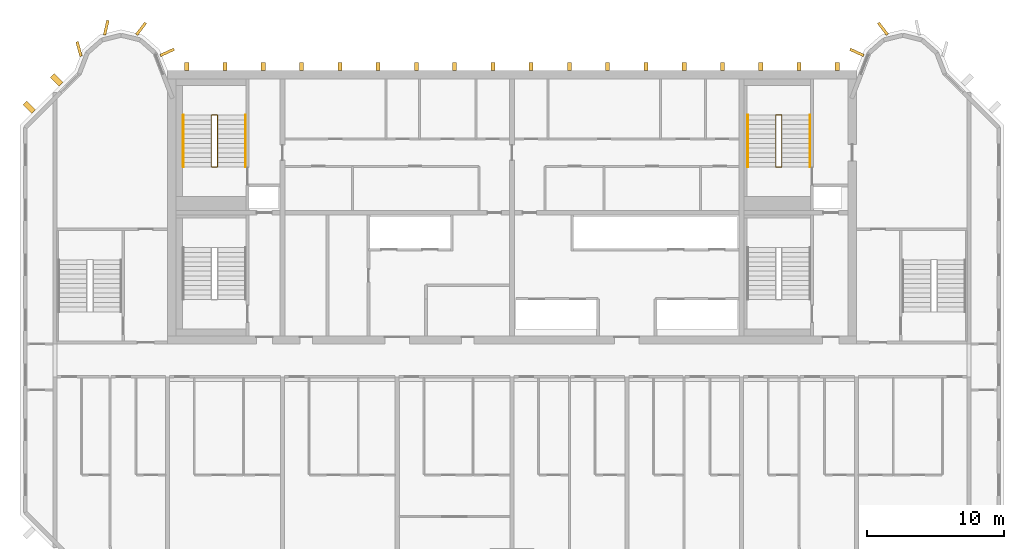
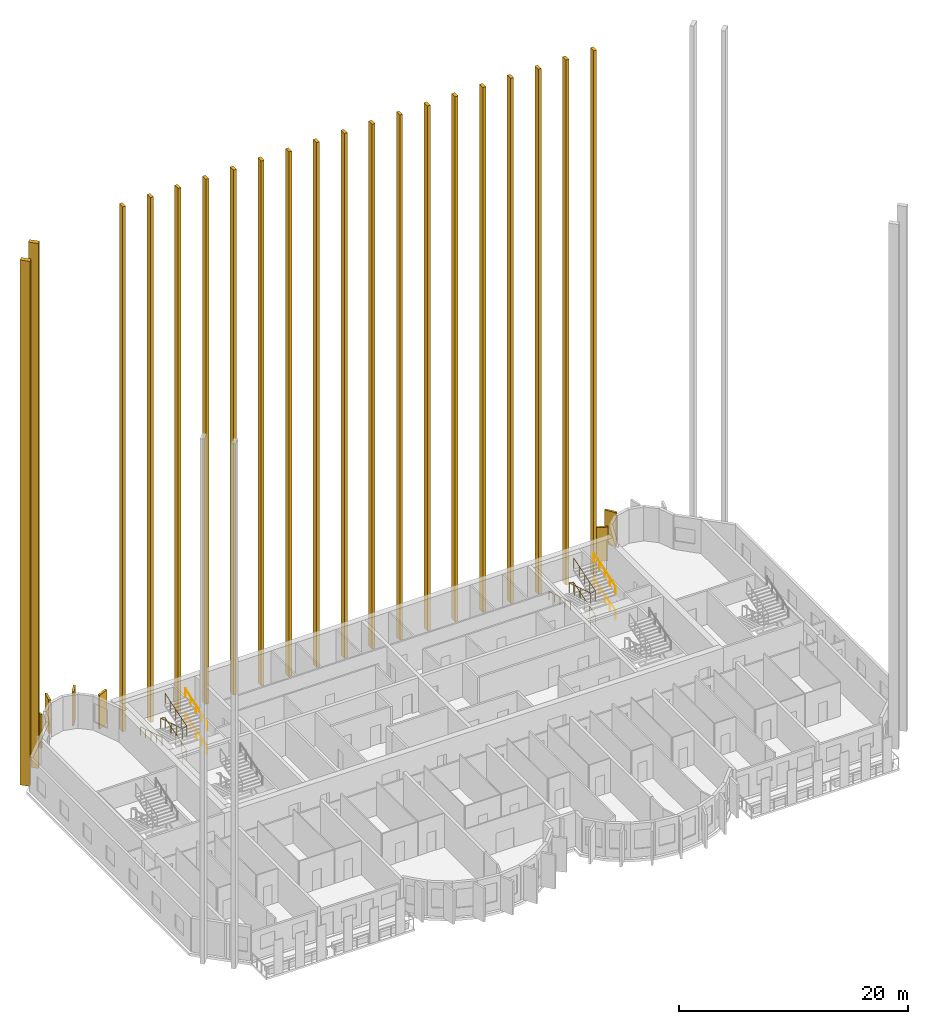
# One storey, part 11 of 13: 26 coverings, 8 railings.
"""IFC4 building model written with IfcOpenShell, lengths in metres."""

from ifc_helpers import new_model, si_unit, direction, frame, origin, origin_2d, place, context, subcontext, project, spatial, rectangle, circle, extrude, source, transform, mapped, material, material_profile, profile_set, type_object, element, save


model = new_model("IFC4")

# Units and contexts
model_context = context("Model", 3, precision=1e-05, world=origin(), true_north=direction((0.0, 1.0)))
body_context = subcontext(model_context, "Body", "Model", "MODEL_VIEW")
ifc_project = project(units=[si_unit("LENGTHUNIT", "METRE"), si_unit("AREAUNIT", "SQUARE_METRE"), si_unit("VOLUMEUNIT", "CUBIC_METRE"), si_unit("PLANEANGLEUNIT", "RADIAN"), si_unit("MASSUNIT", "GRAM", prefix="KILO")], contexts=[model_context])

# Site, building, storey
site_placement = place(None, origin())
site = spatial("IfcSite", under=ifc_project, at=site_placement, CompositionType="ELEMENT")
building_placement = place(site_placement, origin())
building = spatial("IfcBuilding", under=site, at=building_placement, Name="Vanashikhar Sky Hotel", CompositionType="ELEMENT")
storey_placement = place(building_placement, frame((0.0, 0.0, 214.0)))
storey = spatial("IfcBuildingStorey", under=building, at=storey_placement, Name="L51", CompositionType="ELEMENT", Elevation=214.0)

# Coverings
ifc_material_1 = material(Name="Concrete M60 dark", Category="concrete")
ifc_material_profile_1 = material_profile(ifc_material_1, rectangle(XDim=1.10009765625, YDim=0.199951171875, at=origin_2d()))
ifc_profile_set_1 = profile_set([ifc_material_profile_1], Name="Rear lobe fin 1100 x 200")
covering_type_1 = type_object("IfcCoveringType", Name="Rear lobe fin 1100 x 200", PredefinedType="CLADDING", material=ifc_profile_set_1)
shared_shape_1 = source(origin(), body_context, "Body", "SweptSolid", [
    extrude(rectangle(XDim=1.10009765625, YDim=0.199951171875, at=origin_2d()), origin(), (0.0, 0.0, 1.0), 3.6201171875),
])
for number, where, z_axis, x_axis, name in (
    (1, (18.720703125, 43.580078125, 0.0), (0.0, 0.0, 1.0), (-0.262711264409, 0.964874495234, 0.0), "Fin R1-1"),
    (2, (20.710205078125, 45.1455078125, 0.0), (0.0, 0.0, 1.0), (0.224644935864, 0.974440687159, 0.0), "Fin R1-2"),
    (3, (23.261962890625, 45.06640625, 0.0), (0.0, 0.0, 1.0), (0.602065892195, 0.798446404874, 0.0), "Fin R1-3"),
    (4, (25.169677734375, 43.33447265625, 0.0), (0.0, 0.0, 1.0), (0.908004291068, 0.418960866193, 0.0), "Fin R1-4"),
    (5, (75.63037109375, 43.33447265625, 0.0), (0.0, 0.0, 1.0), (-0.908004291068, 0.418960866193, 0.0), "Fin R2-1"),
    (6, (77.5380859375, 45.06640625, 0.0), (0.0, 0.0, 1.0), (-0.602065892195, 0.798446404874, 0.0), "Fin R2-2"),
):
    element("IfcCovering", number, at=place(storey_placement, frame(where, z_axis=z_axis, x_axis=x_axis)), inside=storey, type_object=covering_type_1, Name=name, PredefinedType="CLADDING", context=body_context, shape_type="MappedRepresentation", body=[
        mapped(shared_shape_1, transform((0.0, 0.0, 0.0), scale=1.0)),
    ])
ifc_material_profile_2 = material_profile(ifc_material_1, rectangle(XDim=0.60009765625, YDim=0.300048828125, at=origin_2d()))
ifc_profile_set_2 = profile_set([ifc_material_profile_2], Name="Rear rib 600 x 300")
covering_type_2 = type_object("IfcCoveringType", Name="Rear rib 600 x 300", PredefinedType="CLADDING", material=ifc_profile_set_2)
shared_shape_2 = source(origin(), body_context, "Body", "SweptSolid", [
    extrude(rectangle(XDim=0.60009765625, YDim=0.300048828125, at=origin_2d()), origin(), (0.0, 0.0, 1.0), 56.10009765625),
])
for number, where, z_axis, x_axis, name in (
    (7, (26.60009765625, 42.300048828125, -0.280029296875), (0.0, 0.0, 1.0), (0.0, 1.0, 0.0), "Rear rib"),
    (8, (29.39990234375, 42.300048828125, -0.280029296875), (0.0, 0.0, 1.0), (0.0, 1.0, 0.0), "Rear rib"),
    (9, (32.199951171875, 42.300048828125, -0.280029296875), (0.0, 0.0, 1.0), (0.0, 1.0, 0.0), "Rear rib"),
    (10, (35.0, 42.300048828125, -0.280029296875), (0.0, 0.0, 1.0), (0.0, 1.0, 0.0), "Rear rib"),
    (11, (37.800048828125, 42.300048828125, -0.280029296875), (0.0, 0.0, 1.0), (0.0, 1.0, 0.0), "Rear rib"),
    (12, (40.60009765625, 42.300048828125, -0.280029296875), (0.0, 0.0, 1.0), (0.0, 1.0, 0.0), "Rear rib"),
    (13, (43.39990234375, 42.300048828125, -0.280029296875), (0.0, 0.0, 1.0), (0.0, 1.0, 0.0), "Rear rib"),
    (14, (46.199951171875, 42.300048828125, -0.280029296875), (0.0, 0.0, 1.0), (0.0, 1.0, 0.0), "Rear rib"),
    (15, (49.0, 42.300048828125, -0.280029296875), (0.0, 0.0, 1.0), (0.0, 1.0, 0.0), "Rear rib"),
    (16, (51.800048828125, 42.300048828125, -0.280029296875), (0.0, 0.0, 1.0), (0.0, 1.0, 0.0), "Rear rib"),
    (17, (54.60009765625, 42.300048828125, -0.280029296875), (0.0, 0.0, 1.0), (0.0, 1.0, 0.0), "Rear rib"),
    (18, (57.39990234375, 42.300048828125, -0.280029296875), (0.0, 0.0, 1.0), (0.0, 1.0, 0.0), "Rear rib"),
    (19, (60.199951171875, 42.300048828125, -0.280029296875), (0.0, 0.0, 1.0), (0.0, 1.0, 0.0), "Rear rib"),
    (20, (63.0, 42.300048828125, -0.280029296875), (0.0, 0.0, 1.0), (0.0, 1.0, 0.0), "Rear rib"),
    (21, (65.800048828125, 42.300048828125, -0.280029296875), (0.0, 0.0, 1.0), (0.0, 1.0, 0.0), "Rear rib"),
    (22, (68.60009765625, 42.300048828125, -0.280029296875), (0.0, 0.0, 1.0), (0.0, 1.0, 0.0), "Rear rib"),
    (23, (71.39990234375, 42.300048828125, -0.280029296875), (0.0, 0.0, 1.0), (0.0, 1.0, 0.0), "Rear rib"),
    (24, (74.199951171875, 42.300048828125, -0.280029296875), (0.0, 0.0, 1.0), (0.0, 1.0, 0.0), "Rear rib"),
):
    element("IfcCovering", number, at=place(storey_placement, frame(where, z_axis=z_axis, x_axis=x_axis)), inside=storey, type_object=covering_type_2, Name=name, PredefinedType="CLADDING", context=body_context, shape_type="MappedRepresentation", body=[
        mapped(shared_shape_2, transform((0.0, 0.0, 0.0), scale=1.0)),
    ])
ifc_material_profile_3 = material_profile(ifc_material_1, rectangle(XDim=0.89990234375, YDim=0.39990234375, at=origin_2d()))
ifc_profile_set_3 = profile_set([ifc_material_profile_3], Name="Chamfer fin 900 x 400")
covering_type_3 = type_object("IfcCoveringType", Name="Chamfer fin 900 x 400", PredefinedType="CLADDING", material=ifc_profile_set_3)
shared_shape_3 = source(origin(), body_context, "Body", "SweptSolid", [
    extrude(rectangle(XDim=0.89990234375, YDim=0.39990234375, at=origin_2d()), origin(), (0.0, 0.0, 1.0), 56.10009765625),
])
for number, where, z_axis, x_axis, name in (
    (25, (17.081787109375, 41.318115234375, -0.280029296875), (0.0, 0.0, 1.0), (-0.707106781187, 0.707106781187, 0.0), "Chamfer fin"),
    (26, (15.081787109375, 39.318115234375, -0.280029296875), (0.0, 0.0, 1.0), (-0.707106781187, 0.707106781187, 0.0), "Chamfer fin"),
):
    element("IfcCovering", number, at=place(storey_placement, frame(where, z_axis=z_axis, x_axis=x_axis)), inside=storey, type_object=covering_type_3, Name=name, PredefinedType="CLADDING", context=body_context, shape_type="MappedRepresentation", body=[
        mapped(shared_shape_3, transform((0.0, 0.0, 0.0), scale=1.0)),
    ])

# Railings
ifc_material_2 = material(Name="Steel S355", Category="steel")
railing_type_1 = type_object("IfcRailingType", Name="Stair guard 1100", PredefinedType="GUARDRAIL", material=ifc_material_2)
shared_shape_4 = source(origin(), body_context, "Body", "SweptSolid", [
    extrude(circle(Radius=0.02392578125, at=origin_2d()), frame((0.0, 0.0, 1.076171875), z_axis=(0.972214749574, 0.0, 0.234090753151), x_axis=(0.0, 1.0, 0.0)), (0.0, 0.0, 1.0), 0.463134765625),
    extrude(circle(Radius=0.02392578125, at=origin_2d()), frame((0.4501953125, 0.0, 1.1845703125), z_axis=(0.0, 0.95418390146, 0.299220791714), x_axis=(-1.0, 0.0, 0.0)), (0.0, 0.0, 1.0), 3.982421875),
    extrude(circle(Radius=0.02392578125, at=origin_2d()), frame((0.4501953125, 3.800048828125, 2.3759765625), z_axis=(-0.972214749574, 0.0, 0.234090753151), x_axis=(0.0, -1.0, 0.0)), (0.0, 0.0, 1.0), 0.463134765625),
    extrude(circle(Radius=0.02392578125, at=origin_2d()), frame((0.0, 3.800048828125, 2.484375), z_axis=(0.0, -0.95418390146, 0.299220791714), x_axis=(1.0, 0.0, 0.0)), (0.0, 0.0, 1.0), 3.982421875),
    extrude(circle(Radius=0.02392578125, at=origin_2d()), frame((0.0, 0.0, 3.67626953125), z_axis=(0.972334627364, 0.0, 0.233592320999), x_axis=(0.0, 1.0, 0.0)), (0.0, 0.0, 1.0), 0.462890625),
    extrude(circle(Radius=0.02392578125, at=origin_2d()), frame((0.4501953125, 0.0, 3.7841796875), z_axis=(0.0, 0.95418390146, 0.299220791714), x_axis=(-1.0, 0.0, 0.0)), (0.0, 0.0, 1.0), 3.982421875),
    extrude(circle(Radius=0.02099609375, at=origin_2d()), origin(), (0.0, 0.0, 1.0), 1.052001953125),
    extrude(circle(Radius=0.02099609375, at=origin_2d()), frame((0.4501953125, 0.0, 0.1083984375)), (0.0, 0.0, 1.0), 1.052001953125),
    extrude(circle(Radius=0.02099609375, at=origin_2d()), frame((0.4501953125, 0.949951171875, 0.40625)), (0.0, 0.0, 1.0), 1.052001953125),
    extrude(circle(Radius=0.02099609375, at=origin_2d()), frame((0.4501953125, 1.89990234375, 0.7041015625)), (0.0, 0.0, 1.0), 1.052001953125),
    extrude(circle(Radius=0.02099609375, at=origin_2d()), frame((0.4501953125, 2.85009765625, 1.002197265625)), (0.0, 0.0, 1.0), 1.052001953125),
    extrude(circle(Radius=0.02099609375, at=origin_2d()), frame((0.4501953125, 3.800048828125, 1.300048828125)), (0.0, 0.0, 1.0), 1.052001953125),
    extrude(circle(Radius=0.02099609375, at=origin_2d()), frame((0.0, 3.800048828125, 1.408447265625)), (0.0, 0.0, 1.0), 1.052001953125),
    extrude(circle(Radius=0.02099609375, at=origin_2d()), frame((0.0, 2.85009765625, 1.706298828125)), (0.0, 0.0, 1.0), 1.052001953125),
    extrude(circle(Radius=0.02099609375, at=origin_2d()), frame((0.0, 1.89990234375, 2.00439453125)), (0.0, 0.0, 1.0), 1.052001953125),
    extrude(circle(Radius=0.02099609375, at=origin_2d()), frame((0.0, 0.949951171875, 2.30224609375)), (0.0, 0.0, 1.0), 1.052001953125),
    extrude(circle(Radius=0.02099609375, at=origin_2d()), frame((0.0, 0.0, 2.60009765625)), (0.0, 0.0, 1.0), 1.052001953125),
    extrude(circle(Radius=0.02099609375, at=origin_2d()), frame((0.4501953125, 0.0, 2.708251953125)), (0.0, 0.0, 1.0), 1.052001953125),
    extrude(circle(Radius=0.02099609375, at=origin_2d()), frame((0.4501953125, 0.949951171875, 3.006103515625)), (0.0, 0.0, 1.0), 1.052001953125),
    extrude(circle(Radius=0.02099609375, at=origin_2d()), frame((0.4501953125, 1.89990234375, 3.30419921875)), (0.0, 0.0, 1.0), 1.052001953125),
    extrude(circle(Radius=0.02099609375, at=origin_2d()), frame((0.4501953125, 2.85009765625, 3.60205078125)), (0.0, 0.0, 1.0), 1.052001953125),
    extrude(circle(Radius=0.02099609375, at=origin_2d()), frame((0.4501953125, 3.800048828125, 3.89990234375)), (0.0, 0.0, 1.0), 1.052001953125),
])
railing_1_placement = place(storey_placement, frame((28.39990234375, 34.949951171875, 0.0)))
element("IfcRailing", 27, at=railing_1_placement, inside=storey, type_object=railing_type_1, Name="Exit stair 5 guard", PredefinedType="GUARDRAIL", context=body_context, shape_type="MappedRepresentation", body=[
    mapped(shared_shape_4, transform((0.0, 0.0, 0.0), scale=1.0)),
])
railing_type_2 = type_object("IfcRailingType", Name="Stair handrail 900", PredefinedType="HANDRAIL", material=ifc_material_2)
shared_shape_5 = source(origin(), body_context, "Body", "SweptSolid", [
    extrude(circle(Radius=0.02392578125, at=origin_2d()), frame((0.0, 0.0, 0.8759765625), z_axis=(0.0, 0.95418390146, 0.299220791714), x_axis=(-1.0, 0.0, 0.0)), (0.0, 0.0, 1.0), 3.982421875),
    extrude(circle(Radius=0.02099609375, at=origin_2d()), origin(), (0.0, 0.0, 1.0), 0.851806640625),
    extrude(circle(Radius=0.02099609375, at=origin_2d()), frame((0.0, 0.949951171875, 0.2978515625)), (0.0, 0.0, 1.0), 0.851806640625),
    extrude(circle(Radius=0.02099609375, at=origin_2d()), frame((0.0, 1.89990234375, 0.595703125)), (0.0, 0.0, 1.0), 0.851806640625),
    extrude(circle(Radius=0.02099609375, at=origin_2d()), frame((0.0, 2.85009765625, 0.893798828125)), (0.0, 0.0, 1.0), 0.851806640625),
    extrude(circle(Radius=0.02099609375, at=origin_2d()), frame((0.0, 3.800048828125, 1.191650390625)), (0.0, 0.0, 1.0), 0.851806640625),
])
for number, where, name in (
    (28, (30.89990234375, 34.949951171875, 0.1083984375), "Exit stair 5 handrail"),
    (29, (30.89990234375, 34.949951171875, 2.708251953125), "Exit stair 5 handrail"),
    (30, (72.199951171875, 34.949951171875, 0.1083984375), "Exit stair 6 handrail"),
    (31, (72.199951171875, 34.949951171875, 2.708251953125), "Exit stair 6 handrail"),
):
    element("IfcRailing", number, at=place(storey_placement, frame(where)), inside=storey, type_object=railing_type_2, Name=name, PredefinedType="HANDRAIL", context=body_context, shape_type="MappedRepresentation", body=[
        mapped(shared_shape_5, transform((0.0, 0.0, 0.0), scale=1.0)),
    ])
shared_shape_6 = source(origin(), body_context, "Body", "SweptSolid", [
    extrude(circle(Radius=0.02392578125, at=origin_2d()), frame((0.0, 0.0, 0.8759765625), z_axis=(0.0, -0.95418390146, 0.299220791714), x_axis=(1.0, 0.0, 0.0)), (0.0, 0.0, 1.0), 3.982421875),
    extrude(circle(Radius=0.02099609375, at=origin_2d()), origin(), (0.0, 0.0, 1.0), 0.851806640625),
    extrude(circle(Radius=0.02099609375, at=origin_2d()), frame((0.0, -0.949951171875, 0.2978515625)), (0.0, 0.0, 1.0), 0.851806640625),
    extrude(circle(Radius=0.02099609375, at=origin_2d()), frame((0.0, -1.89990234375, 0.595703125)), (0.0, 0.0, 1.0), 0.851806640625),
    extrude(circle(Radius=0.02099609375, at=origin_2d()), frame((0.0, -2.85009765625, 0.893798828125)), (0.0, 0.0, 1.0), 0.851806640625),
    extrude(circle(Radius=0.02099609375, at=origin_2d()), frame((0.0, -3.800048828125, 1.191650390625)), (0.0, 0.0, 1.0), 0.851806640625),
])
for number, where, name in (
    (32, (26.35009765625, 38.75, 1.408447265625), "Exit stair 5 handrail"),
    (33, (67.64990234375, 38.75, 1.408447265625), "Exit stair 6 handrail"),
):
    element("IfcRailing", number, at=place(storey_placement, frame(where)), inside=storey, type_object=railing_type_2, Name=name, PredefinedType="HANDRAIL", context=body_context, shape_type="MappedRepresentation", body=[
        mapped(shared_shape_6, transform((0.0, 0.0, 0.0), scale=1.0)),
    ])
shared_shape_7 = source(origin(), body_context, "Body", "SweptSolid", [
    extrude(circle(Radius=0.02392578125, at=origin_2d()), frame((0.0, 0.0, 1.076171875), z_axis=(0.972185835864, 0.0, 0.234210803648), x_axis=(0.0, 1.0, 0.0)), (0.0, 0.0, 1.0), 0.462890625),
    extrude(circle(Radius=0.02392578125, at=origin_2d()), frame((0.449951171875, 0.0, 1.1845703125), z_axis=(0.0, 0.95418390146, 0.299220791714), x_axis=(-1.0, 0.0, 0.0)), (0.0, 0.0, 1.0), 3.982421875),
    extrude(circle(Radius=0.02392578125, at=origin_2d()), frame((0.449951171875, 3.800048828125, 2.3759765625), z_axis=(-0.972185835864, 0.0, 0.234210803648), x_axis=(0.0, -1.0, 0.0)), (0.0, 0.0, 1.0), 0.462890625),
    extrude(circle(Radius=0.02392578125, at=origin_2d()), frame((0.0, 3.800048828125, 2.484375), z_axis=(0.0, -0.95418390146, 0.299220791714), x_axis=(1.0, 0.0, 0.0)), (0.0, 0.0, 1.0), 3.982421875),
    extrude(circle(Radius=0.02392578125, at=origin_2d()), frame((0.0, 0.0, 3.67626953125), z_axis=(0.972305833095, 0.0, 0.233712145448), x_axis=(0.0, 1.0, 0.0)), (0.0, 0.0, 1.0), 0.462646484375),
    extrude(circle(Radius=0.02392578125, at=origin_2d()), frame((0.449951171875, 0.0, 3.7841796875), z_axis=(0.0, 0.95418390146, 0.299220791714), x_axis=(-1.0, 0.0, 0.0)), (0.0, 0.0, 1.0), 3.982421875),
    extrude(circle(Radius=0.02099609375, at=origin_2d()), origin(), (0.0, 0.0, 1.0), 1.052001953125),
    extrude(circle(Radius=0.02099609375, at=origin_2d()), frame((0.449951171875, 0.0, 0.1083984375)), (0.0, 0.0, 1.0), 1.052001953125),
    extrude(circle(Radius=0.02099609375, at=origin_2d()), frame((0.449951171875, 0.949951171875, 0.40625)), (0.0, 0.0, 1.0), 1.052001953125),
    extrude(circle(Radius=0.02099609375, at=origin_2d()), frame((0.449951171875, 1.89990234375, 0.7041015625)), (0.0, 0.0, 1.0), 1.052001953125),
    extrude(circle(Radius=0.02099609375, at=origin_2d()), frame((0.449951171875, 2.85009765625, 1.002197265625)), (0.0, 0.0, 1.0), 1.052001953125),
    extrude(circle(Radius=0.02099609375, at=origin_2d()), frame((0.449951171875, 3.800048828125, 1.300048828125)), (0.0, 0.0, 1.0), 1.052001953125),
    extrude(circle(Radius=0.02099609375, at=origin_2d()), frame((0.0, 3.800048828125, 1.408447265625)), (0.0, 0.0, 1.0), 1.052001953125),
    extrude(circle(Radius=0.02099609375, at=origin_2d()), frame((0.0, 2.85009765625, 1.706298828125)), (0.0, 0.0, 1.0), 1.052001953125),
    extrude(circle(Radius=0.02099609375, at=origin_2d()), frame((0.0, 1.89990234375, 2.00439453125)), (0.0, 0.0, 1.0), 1.052001953125),
    extrude(circle(Radius=0.02099609375, at=origin_2d()), frame((0.0, 0.949951171875, 2.30224609375)), (0.0, 0.0, 1.0), 1.052001953125),
    extrude(circle(Radius=0.02099609375, at=origin_2d()), frame((0.0, 0.0, 2.60009765625)), (0.0, 0.0, 1.0), 1.052001953125),
    extrude(circle(Radius=0.02099609375, at=origin_2d()), frame((0.449951171875, 0.0, 2.708251953125)), (0.0, 0.0, 1.0), 1.052001953125),
    extrude(circle(Radius=0.02099609375, at=origin_2d()), frame((0.449951171875, 0.949951171875, 3.006103515625)), (0.0, 0.0, 1.0), 1.052001953125),
    extrude(circle(Radius=0.02099609375, at=origin_2d()), frame((0.449951171875, 1.89990234375, 3.30419921875)), (0.0, 0.0, 1.0), 1.052001953125),
    extrude(circle(Radius=0.02099609375, at=origin_2d()), frame((0.449951171875, 2.85009765625, 3.60205078125)), (0.0, 0.0, 1.0), 1.052001953125),
    extrude(circle(Radius=0.02099609375, at=origin_2d()), frame((0.449951171875, 3.800048828125, 3.89990234375)), (0.0, 0.0, 1.0), 1.052001953125),
])
railing_2_placement = place(storey_placement, frame((69.699951171875, 34.949951171875, 0.0)))
element("IfcRailing", 34, at=railing_2_placement, inside=storey, type_object=railing_type_1, Name="Exit stair 6 guard", PredefinedType="GUARDRAIL", context=body_context, shape_type="MappedRepresentation", body=[
    mapped(shared_shape_7, transform((0.0, 0.0, 0.0), scale=1.0)),
])

save(model, "model.ifc")
